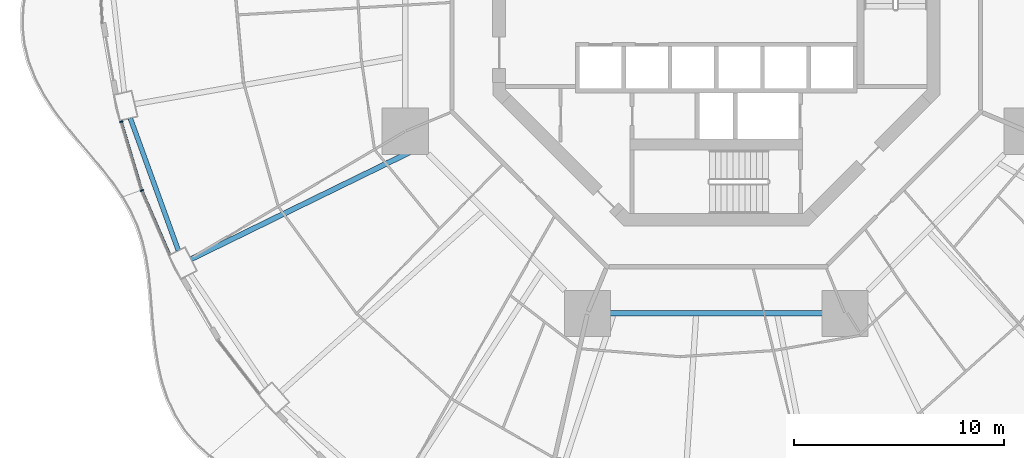
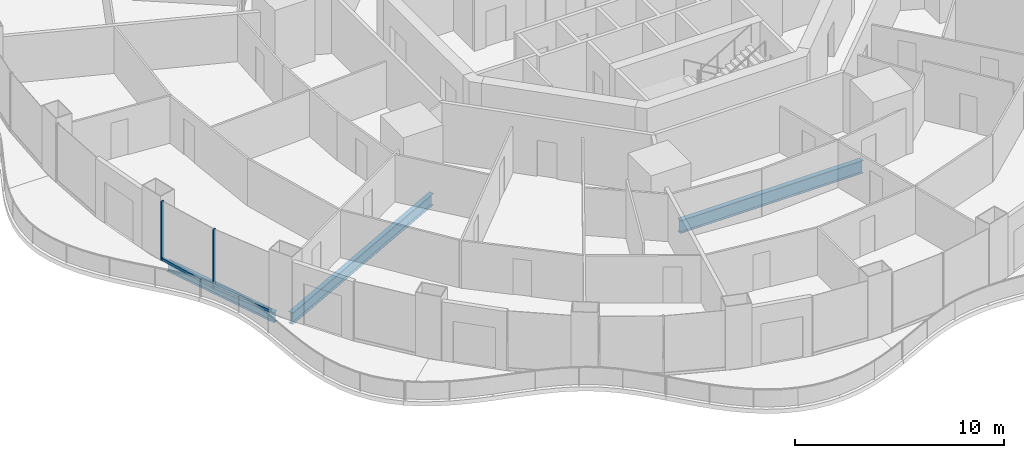
# One storey, part 3 of 22: 4 members, 3 beams, 2 elements without a shape of their own.
"""IFC4 building model written with IfcOpenShell, lengths in metres."""

from ifc_helpers import new_model, si_unit, direction, frame, origin, origin_2d, place, context, subcontext, project, spatial, rectangle, i_section, extrude, material, layer, layer_set, material_profile, profile_set, type_object, element, aggregate, save


model = new_model("IFC4")

# Units and contexts
model_context = context("Model", 3, precision=1e-05, world=origin(), true_north=direction((0.0, 1.0)))
body_context = subcontext(model_context, "Body", "Model", "MODEL_VIEW")
ifc_project = project(units=[si_unit("LENGTHUNIT", "METRE"), si_unit("AREAUNIT", "SQUARE_METRE"), si_unit("VOLUMEUNIT", "CUBIC_METRE"), si_unit("PLANEANGLEUNIT", "RADIAN"), si_unit("MASSUNIT", "GRAM", prefix="KILO")], contexts=[model_context])

# Site, building, storey
site_placement = place(None, origin())
site = spatial("IfcSite", under=ifc_project, at=site_placement, CompositionType="ELEMENT")
building_placement = place(site_placement, origin())
building = spatial("IfcBuilding", under=site, at=building_placement, Name="Nagisa Residences", CompositionType="ELEMENT")
storey_placement = place(building_placement, frame((0.0, 0.0, 95.5)))
storey = spatial("IfcBuildingStorey", under=building, at=storey_placement, Name="L23", CompositionType="ELEMENT", Elevation=95.5)

# Curtain wall, member
ifc_material_1 = material(Name="Concrete-coloured aluminium curtain wall system", Category="concrete")
ifc_layer = layer(ifc_material_1, 0.159912109375)
ifc_layer_set = layer_set([ifc_layer], Name="CW1 CURTAIN WALL")
curtain_wall_type = type_object("IfcCurtainWallType", Name="CW1 CURTAIN WALL", PredefinedType="NOTDEFINED", material=ifc_layer_set)
curtain_wall_1_placement = place(storey_placement, origin())
curtain_wall_1 = element("IfcCurtainWall", 1, at=curtain_wall_1_placement, inside=storey, type_object=curtain_wall_type, Name="cw:CW1:L23:26", PredefinedType="NOTDEFINED")
ifc_material_2 = material(Name="Concrete-coloured aluminium", Category="concrete")
ifc_material_profile_1 = material_profile(ifc_material_2, rectangle(XDim=0.159912109375, YDim=0.06005859375, at=origin_2d()), Name="CW1 MULLION 160x60")
ifc_profile_set_1 = profile_set([ifc_material_profile_1], Name="Concrete-coloured aluminium")
member_type_1 = type_object("IfcMemberType", Name="CW1 MULLION 160x60", PredefinedType="MULLION", material=ifc_profile_set_1)
member_1_placement = place(storey_placement, frame((-28.2802734375, -5.667724609375, 0.0), z_axis=(0.0, 0.0, 1.0), x_axis=(0.958271310082, 0.285860274038, 0.0)))
member_1 = element("IfcMember", 2, at=member_1_placement, type_object=member_type_1, Name="CW1 mullion", PredefinedType="MULLION", context=body_context, shape_type="SweptSolid", body=[
    extrude(rectangle(XDim=0.159912109375, YDim=0.06005859375, at=origin_2d()), origin(), (0.0, 0.0, 1.0), 3.43994140625),
])

curtain_wall_2_placement = place(storey_placement, origin())
curtain_wall_2 = element("IfcCurtainWall", 3, at=curtain_wall_2_placement, inside=storey, type_object=curtain_wall_type, Name="cw:CW1:L23:27", PredefinedType="NOTDEFINED")
member_2_placement = place(storey_placement, frame((-27.301513671875, -8.938232421875, 0.0), z_axis=(0.0, 0.0, 1.0), x_axis=(0.917543276295, 0.397635934147, 0.0)))
member_2 = element("IfcMember", 4, at=member_2_placement, type_object=member_type_1, Name="CW1 mullion", PredefinedType="MULLION", context=body_context, shape_type="SweptSolid", body=[
    extrude(rectangle(XDim=0.159912109375, YDim=0.06005859375, at=origin_2d()), origin(), (0.0, 0.0, 1.0), 3.43994140625),
])

# Member
ifc_material_3 = material(Name="Concrete-coloured aluminium", Category="concrete")
ifc_material_profile_2 = material_profile(ifc_material_3, rectangle(XDim=0.1201171875, YDim=0.14990234375, at=origin_2d()), Name="CW1 TRANSOM 120x150")
ifc_profile_set_2 = profile_set([ifc_material_profile_2], Name="Concrete-coloured aluminium")
member_type_2 = type_object("IfcMemberType", Name="CW1 TRANSOM 120x150", PredefinedType="USERDEFINED", material=ifc_profile_set_2)
member_3_placement = place(storey_placement, frame((-28.288818359375, -5.638916015625, 0.074951171875), z_axis=(0.285816610469, -0.958284334203, 0.0), x_axis=(0.958284334203, 0.285816610469, 0.0)))
member_3 = element("IfcMember", 5, at=member_3_placement, type_object=member_type_2, Name="CW1 transom", ObjectType="TRANSOM", PredefinedType="USERDEFINED", context=body_context, shape_type="SweptSolid", body=[
    extrude(rectangle(XDim=0.1201171875, YDim=0.14990234375, at=origin_2d()), origin(), (0.0, 0.0, 1.0), 3.423583984375),
])

aggregate(curtain_wall_1, [member_1, member_3])

member_4_placement = place(storey_placement, frame((-27.3134765625, -8.91064453125, 0.074951171875), z_axis=(0.397621629246, -0.917549475481, 0.0), x_axis=(0.917549475481, 0.397621629246, 0.0)))
member_4 = element("IfcMember", 6, at=member_4_placement, type_object=member_type_2, Name="CW1 transom", ObjectType="TRANSOM", PredefinedType="USERDEFINED", context=body_context, shape_type="SweptSolid", body=[
    extrude(rectangle(XDim=0.1201171875, YDim=0.14990234375, at=origin_2d()), origin(), (0.0, 0.0, 1.0), 3.37939453125),
])

aggregate(curtain_wall_2, [member_2, member_4])

# Beams
ifc_material_4 = material(Name="Steel ASTM A572 Gr 50", Category="steel")
ifc_material_profile_3 = material_profile(ifc_material_4, i_section(OverallWidth=0.264892578125, OverallDepth=0.7529296875, WebThickness=0.01318359375, FlangeThickness=0.01708984375, at=origin_2d()), Name="W760x147")
ifc_profile_set_3 = profile_set([ifc_material_profile_3], Name="Steel ASTM A572 Gr 50")
beam_type_1 = type_object("IfcBeamType", Name="Inner ring beam W760x147", PredefinedType="BEAM", material=ifc_profile_set_3)
beam_1_placement = place(storey_placement, frame((-5.04296875, -14.781982421875, -0.636474609375), z_axis=(1.0, 0.0, 0.0), x_axis=(0.0, 1.0, 0.0)))
element("IfcBeam", 7, at=beam_1_placement, inside=storey, type_object=beam_type_1, Name="beam:L23:ib6", PredefinedType="BEAM", context=body_context, shape_type="SweptSolid", body=[
    extrude(i_section(OverallWidth=0.264892578125, OverallDepth=0.7529296875, WebThickness=0.01318359375, FlangeThickness=0.01708984375, at=origin_2d()), origin(), (0.0, 0.0, 1.0), 10.0859375),
])
ifc_material_5 = material(Name="Steel ASTM A572 Gr 50", Category="steel")
ifc_material_profile_4 = material_profile(ifc_material_5, i_section(OverallWidth=0.22802734375, OverallDepth=0.60302734375, WebThickness=0.010498046875, FlangeThickness=0.014892578125, at=origin_2d()), Name="W610x101")
ifc_profile_set_4 = profile_set([ifc_material_profile_4], Name="Steel ASTM A572 Gr 50")
beam_type_2 = type_object("IfcBeamType", Name="Perimeter ring beam W610x101", PredefinedType="BEAM", material=ifc_profile_set_4)
beam_2_placement = place(storey_placement, frame((-27.851806640625, -5.505859375, -0.5615234375), z_axis=(0.341365002286, -0.939930814057, 0.0), x_axis=(0.939930814057, 0.341365002286, 0.0)))
element("IfcBeam", 8, at=beam_2_placement, inside=storey, type_object=beam_type_2, Name="beam:L23:pb14", PredefinedType="BEAM", context=body_context, shape_type="SweptSolid", body=[
    extrude(i_section(OverallWidth=0.22802734375, OverallDepth=0.60302734375, WebThickness=0.010498046875, FlangeThickness=0.014892578125, at=origin_2d()), origin(), (0.0, 0.0, 1.0), 6.689208984375),
])
ifc_material_6 = material(Name="Steel ASTM A572 Gr 50", Category="steel")
ifc_material_profile_5 = material_profile(ifc_material_6, i_section(OverallWidth=0.2529296875, OverallDepth=0.677978515625, WebThickness=0.01171875, FlangeThickness=0.016357421875, at=origin_2d()), Name="W690x125")
ifc_profile_set_5 = profile_set([ifc_material_profile_5], Name="Steel ASTM A572 Gr 50")
beam_type_3 = type_object("IfcBeamType", Name="Radial beam W690x125", PredefinedType="BEAM", material=ifc_profile_set_5)
beam_3_placement = place(storey_placement, frame((-24.965087890625, -12.200927734375, -0.59912109375), z_axis=(0.898446773802, 0.439082446296, 0.0), x_axis=(-0.439082446296, 0.898446773802, 0.0)))
element("IfcBeam", 9, at=beam_3_placement, inside=storey, type_object=beam_type_3, Name="beam:L23:rb15", PredefinedType="BEAM", context=body_context, shape_type="SweptSolid", body=[
    extrude(i_section(OverallWidth=0.2529296875, OverallDepth=0.677978515625, WebThickness=0.01171875, FlangeThickness=0.016357421875, at=origin_2d()), origin(), (0.0, 0.0, 1.0), 12.037353515625),
])

save(model, "model.ifc")
